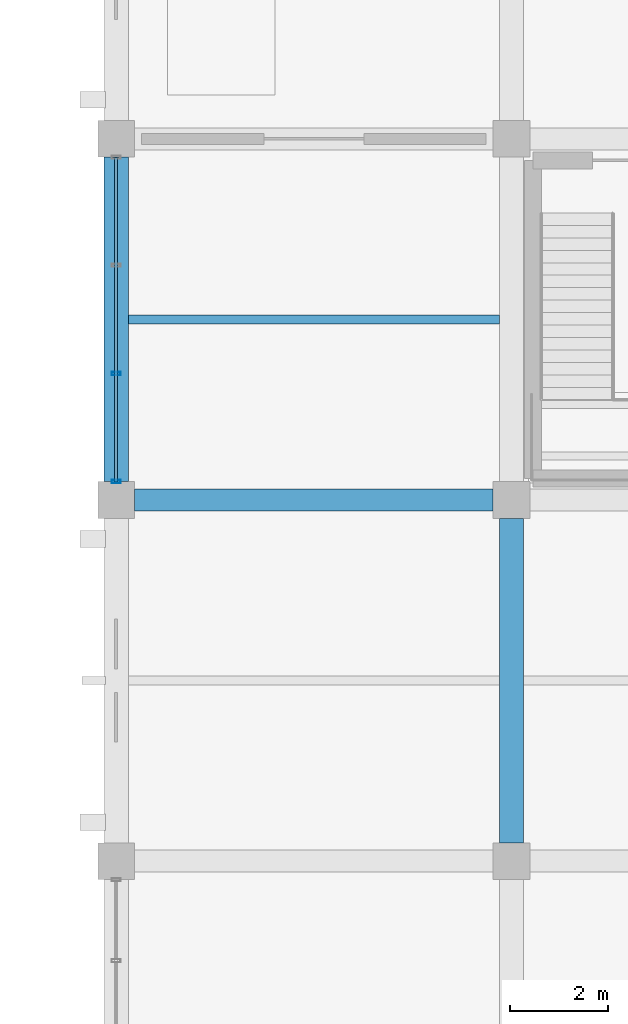
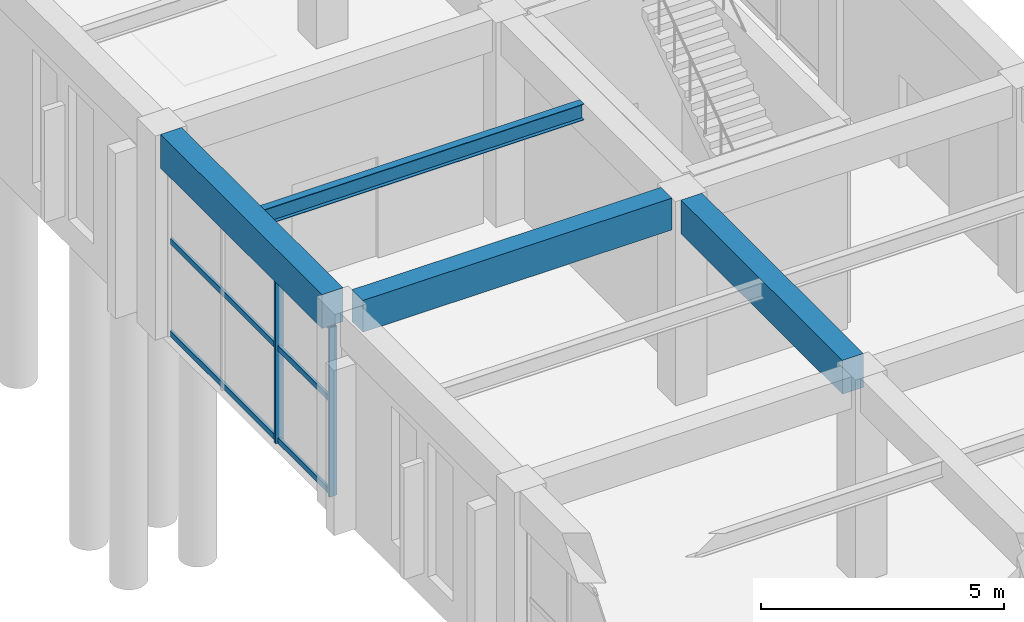
# One storey, part 22 of 140: 5 members, 4 beams, 1 element without a shape of its own.
"""IFC4 building model written with IfcOpenShell, lengths in metres."""

from ifc_helpers import new_model, si_unit, direction, frame, origin, origin_2d, place, context, subcontext, project, spatial, rectangle, hollow_rectangle, i_section, extrude, material, material_profile, profile_set, type_object, element, aggregate, save


model = new_model("IFC4")

# Units and contexts
model_context = context("Model", 3, precision=1e-05, world=origin(), true_north=direction((0.0, 1.0)))
body_context = subcontext(model_context, "Body", "Model", "MODEL_VIEW")
ifc_project = project(units=[si_unit("LENGTHUNIT", "METRE"), si_unit("AREAUNIT", "SQUARE_METRE"), si_unit("VOLUMEUNIT", "CUBIC_METRE"), si_unit("PLANEANGLEUNIT", "RADIAN"), si_unit("MASSUNIT", "GRAM", prefix="KILO")], contexts=[model_context])

# Site, building, storey
site_placement = place(None, origin())
site = spatial("IfcSite", under=ifc_project, at=site_placement, CompositionType="ELEMENT")
building_placement = place(site_placement, origin())
building = spatial("IfcBuilding", under=site, at=building_placement, Name="Cimatlan Art Gallery", CompositionType="ELEMENT")
storey_placement = place(building_placement, origin())
storey = spatial("IfcBuildingStorey", under=building, at=storey_placement, Name="L00", CompositionType="ELEMENT", Elevation=0.0)

# Beams
ifc_material_1 = material(Name="Concrete C40/50", Category="concrete")
ifc_material_profile_1 = material_profile(ifc_material_1, rectangle(XDim=0.449951171875, YDim=0.800048828125, at=origin_2d()), Name="RC450X800")
ifc_profile_set_1 = profile_set([ifc_material_profile_1], Name="Concrete C40/50")
beam_type_1 = type_object("IfcBeamType", Name="BM-RC-450X800", PredefinedType="BEAM", material=ifc_profile_set_1)
beam_1_placement = place(storey_placement, frame((34.77490234375, 53.5, 4.735107421875), z_axis=(1.0, 0.0, 0.0), x_axis=(0.0, 1.0, 0.0)))
element("IfcBeam", 1, at=beam_1_placement, inside=storey, type_object=beam_type_1, Name="BM-X-L00-04-07", PredefinedType="BEAM", context=body_context, shape_type="SweptSolid", body=[
    extrude(rectangle(XDim=0.449951171875, YDim=0.800048828125, at=origin_2d()), origin(), (0.0, 0.0, 1.0), 7.35009765625),
])
ifc_material_profile_2 = material_profile(ifc_material_1, rectangle(XDim=0.5, YDim=0.85009765625, at=origin_2d()), Name="RC500X850")
ifc_profile_set_2 = profile_set([ifc_material_profile_2], Name="Concrete C40/50")
beam_type_2 = type_object("IfcBeamType", Name="BM-RC-500X850", PredefinedType="BEAM", material=ifc_profile_set_2)
for number, where, z_axis, x_axis, name in (
    (2, (34.39990234375, 53.875, 4.7099609375), (0.0, 1.0, 0.0), (-1.0, 0.0, 0.0), "BM-Y-L00-04-07"),
    (3, (42.5, 46.47509765625, 4.7099609375), (0.0, 1.0, 0.0), (-1.0, 0.0, 0.0), "BM-Y-L00-05-06"),
):
    element("IfcBeam", number, at=place(storey_placement, frame(where, z_axis=z_axis, x_axis=x_axis)), inside=storey, type_object=beam_type_2, Name=name, PredefinedType="BEAM", context=body_context, shape_type="SweptSolid", body=[
        extrude(rectangle(XDim=0.5, YDim=0.85009765625, at=origin_2d()), origin(), (0.0, 0.0, 1.0), 6.64990234375),
    ])
ifc_material_2 = material(Name="Steel ASTM A992 Grade 50", Category="steel")
ifc_material_profile_3 = material_profile(ifc_material_2, i_section(OverallWidth=0.177978515625, OverallDepth=0.406982421875, WebThickness=0.0078125, FlangeThickness=0.0126953125, at=origin_2d()), Name="W16X40")
ifc_profile_set_3 = profile_set([ifc_material_profile_3], Name="Steel ASTM A992 Grade 50")
beam_type_3 = type_object("IfcBeamType", Name="BM-STL-W16X40", PredefinedType="JOIST", material=ifc_profile_set_3)
beam_2_placement = place(storey_placement, frame((34.64990234375, 57.199951171875, 4.931396484375), z_axis=(1.0, 0.0, 0.0), x_axis=(0.0, 1.0, 0.0)))
element("IfcBeam", 4, at=beam_2_placement, inside=storey, type_object=beam_type_3, Name="JST-L00-04-07", PredefinedType="JOIST", context=body_context, shape_type="SweptSolid", body=[
    extrude(i_section(OverallWidth=0.177978515625, OverallDepth=0.406982421875, WebThickness=0.0078125, FlangeThickness=0.0126953125, at=origin_2d()), origin(), (0.0, 0.0, 1.0), 7.60009765625),
])

# Curtain wall, members
ifc_material_3 = material(Name="Anodised bronze unitised curtain wall")
curtain_wall_type = type_object("IfcCurtainWallType", Name="CW-V-06642X04255-B3", PredefinedType="NOTDEFINED", material=ifc_material_3)
curtain_wall_placement = place(storey_placement, origin())
curtain_wall = element("IfcCurtainWall", 5, at=curtain_wall_placement, inside=storey, type_object=curtain_wall_type, Name="CW-L00-04-07-W", PredefinedType="NOTDEFINED")
ifc_material_4 = material(Name="Anodised bronze aluminium 6063-T6", Category="aluminium")
ifc_material_profile_4 = material_profile(ifc_material_4, hollow_rectangle(XDim=0.06494140625, YDim=0.179931640625, WallThickness=0.00390625, at=origin_2d()), Name="ALU65X180X4")
ifc_profile_set_4 = profile_set([ifc_material_profile_4], Name="Anodised bronze aluminium 6063-T6")
member_type_1 = type_object("IfcMemberType", Name="CW-MUL-180", PredefinedType="MULLION", material=ifc_profile_set_4)
member_1_placement = place(storey_placement, frame((34.39990234375, 53.87890625, 0.0), z_axis=(0.0, 0.0, 1.0), x_axis=(0.0, 1.0, 0.0)))
member_1 = element("IfcMember", 6, at=member_1_placement, type_object=member_type_1, Name="CW-L00-04-07-W-M1", PredefinedType="MULLION", context=body_context, shape_type="SweptSolid", body=[
    extrude(hollow_rectangle(XDim=0.06494140625, YDim=0.179931640625, WallThickness=0.00390625, at=origin_2d()), origin(), (0.0, 0.0, 1.0), 4.2548828125),
])
member_2_placement = place(storey_placement, frame((34.39990234375, 56.093017578125, 0.0), z_axis=(0.0, 0.0, 1.0), x_axis=(0.0, 1.0, 0.0)))
member_2 = element("IfcMember", 7, at=member_2_placement, type_object=member_type_1, Name="CW-L00-04-07-W-M2", PredefinedType="MULLION", context=body_context, shape_type="SweptSolid", body=[
    extrude(hollow_rectangle(XDim=0.06494140625, YDim=0.179931640625, WallThickness=0.00390625, at=origin_2d()), origin(), (0.0, 0.0, 1.0), 4.2548828125),
])
ifc_material_profile_5 = material_profile(ifc_material_4, hollow_rectangle(XDim=0.06494140625, YDim=0.139892578125, WallThickness=0.00390625, at=origin_2d()), Name="ALU65X140X4")
ifc_profile_set_5 = profile_set([ifc_material_profile_5], Name="Anodised bronze aluminium 6063-T6")
member_type_2 = type_object("IfcMemberType", Name="CW-TRN-140", PredefinedType="USERDEFINED", material=ifc_profile_set_5)
member_3_placement = place(storey_placement, frame((34.39990234375, 53.87890625, 0.06005859375), z_axis=(0.0, 1.0, 0.0), x_axis=(-1.0, 0.0, 0.0)))
member_3 = element("IfcMember", 8, at=member_3_placement, type_object=member_type_2, Name="CW-L00-04-07-W-T1", ObjectType="TRANSOM", PredefinedType="USERDEFINED", context=body_context, shape_type="SweptSolid", body=[
    extrude(hollow_rectangle(XDim=0.06494140625, YDim=0.139892578125, WallThickness=0.00390625, at=origin_2d()), origin(), (0.0, 0.0, 1.0), 6.64208984375),
])
member_4_placement = place(storey_placement, frame((34.39990234375, 53.87890625, 2.3828125), z_axis=(0.0, 1.0, 0.0), x_axis=(-1.0, 0.0, 0.0)))
member_4 = element("IfcMember", 9, at=member_4_placement, type_object=member_type_2, Name="CW-L00-04-07-W-T2", ObjectType="TRANSOM", PredefinedType="USERDEFINED", context=body_context, shape_type="SweptSolid", body=[
    extrude(hollow_rectangle(XDim=0.06494140625, YDim=0.139892578125, WallThickness=0.00390625, at=origin_2d()), origin(), (0.0, 0.0, 1.0), 6.64208984375),
])
member_5_placement = place(storey_placement, frame((34.39990234375, 53.87890625, 4.195068359375), z_axis=(0.0, 1.0, 0.0), x_axis=(-1.0, 0.0, 0.0)))
member_5 = element("IfcMember", 10, at=member_5_placement, type_object=member_type_2, Name="CW-L00-04-07-W-T3", ObjectType="TRANSOM", PredefinedType="USERDEFINED", context=body_context, shape_type="SweptSolid", body=[
    extrude(hollow_rectangle(XDim=0.06494140625, YDim=0.139892578125, WallThickness=0.00390625, at=origin_2d()), origin(), (0.0, 0.0, 1.0), 6.64208984375),
])
aggregate(curtain_wall, [member_1, member_2, member_3, member_4, member_5])

save(model, "model.ifc")
